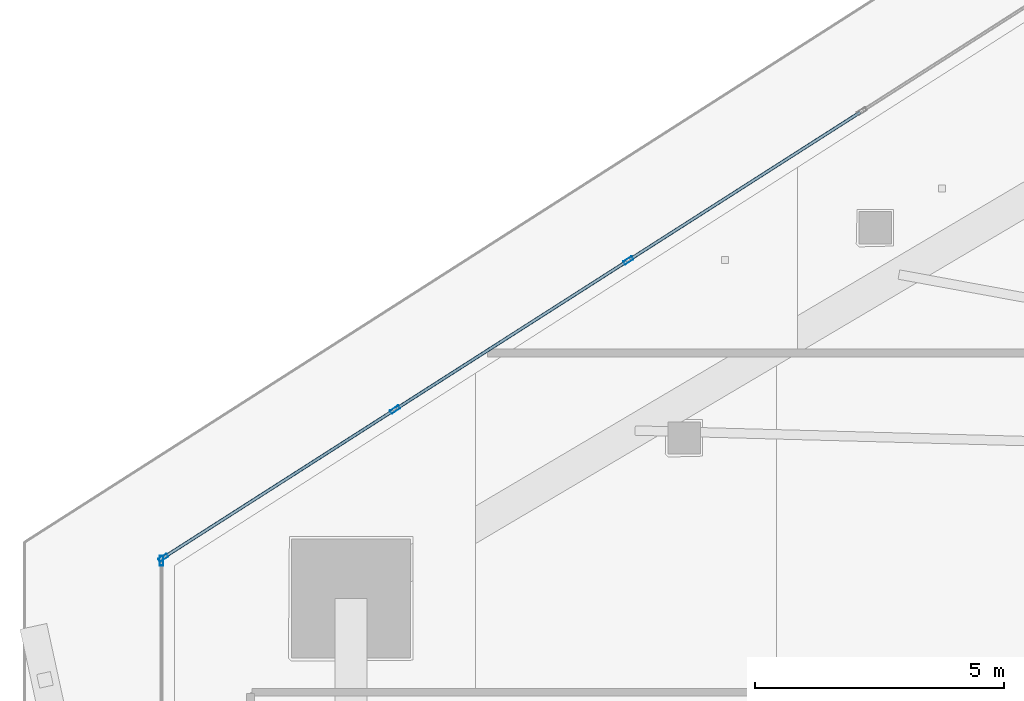
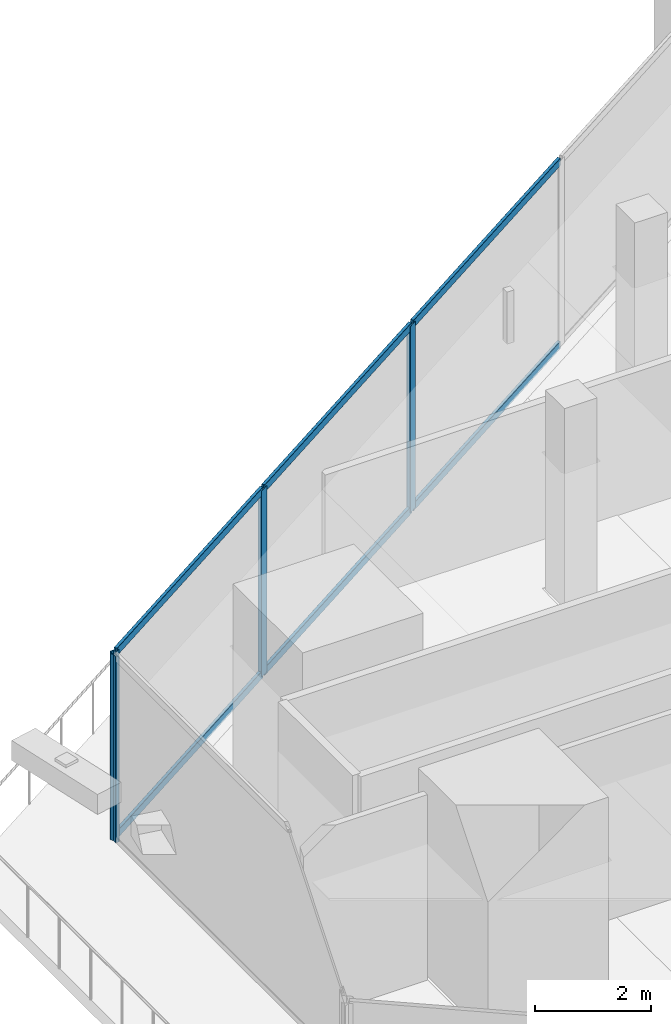
# One storey, part 14 of 47: 10 members, 2 elements without a shape of their own.
"""IFC4 building model written with IfcOpenShell, lengths in metres."""

from ifc_helpers import new_model, si_unit, direction, frame, origin, origin_2d, place, context, subcontext, project, spatial, hollow_rectangle, extrude, material, layer, layer_set, material_profile, profile_set, type_object, element, aggregate, save


model = new_model("IFC4")

# Units and contexts
model_context = context("Model", 3, precision=1e-05, world=origin(), true_north=direction((0.0, 1.0)))
body_context = subcontext(model_context, "Body", "Model", "MODEL_VIEW")
ifc_project = project(units=[si_unit("LENGTHUNIT", "METRE"), si_unit("AREAUNIT", "SQUARE_METRE"), si_unit("VOLUMEUNIT", "CUBIC_METRE"), si_unit("PLANEANGLEUNIT", "RADIAN"), si_unit("MASSUNIT", "GRAM", prefix="KILO")], contexts=[model_context])

# Site, building, storey
site_placement = place(None, origin())
site = spatial("IfcSite", under=ifc_project, at=site_placement, CompositionType="ELEMENT")
building_placement = place(site_placement, origin())
building = spatial("IfcBuilding", under=site, at=building_placement, Name="Qorvath Tower", CompositionType="ELEMENT")
storey_placement = place(building_placement, frame((0.0, 0.0, 82.800048828125)))
storey = spatial("IfcBuildingStorey", under=building, at=storey_placement, Name="L18", CompositionType="ELEMENT", Elevation=82.800048828125)

# Curtain wall, members
ifc_material_1 = material(Name="Anodised aluminium and triple low-E glass", Category="aluminium")
ifc_layer = layer(ifc_material_1, 0.179931640625)
ifc_layer_set = layer_set([ifc_layer], Name="CW-SYS-5")
curtain_wall_type = type_object("IfcCurtainWallType", Name="CW-SYS-5", PredefinedType="NOTDEFINED", material=ifc_layer_set)
curtain_wall_1_placement = place(storey_placement, origin())
curtain_wall_1 = element("IfcCurtainWall", 1, at=curtain_wall_1_placement, inside=storey, type_object=curtain_wall_type, Name="Curtain Wall CW-5 CW-T-L18-4.2", PredefinedType="NOTDEFINED")
ifc_material_2 = material(Name="Anodised aluminium 6063-T6", Category="aluminium")
ifc_material_profile_1 = material_profile(ifc_material_2, hollow_rectangle(XDim=0.074951171875, YDim=0.199951171875, WallThickness=0.00390625, InnerFilletRadius=0.00390625, OuterFilletRadius=0.008056640625, at=origin_2d()), Name="CWM 200x75")
ifc_profile_set_1 = profile_set([ifc_material_profile_1], Name="Anodised aluminium 6063-T6")
member_type_1 = type_object("IfcMemberType", Name="CWM-200", PredefinedType="MULLION", material=ifc_profile_set_1)
member_1_placement = place(storey_placement, frame((-49.705322265625, 9.994873046875, 0.0), z_axis=(0.0, 0.0, 1.0), x_axis=(0.538532660261, -0.842604636726, 0.0)))
member_1 = element("IfcMember", 2, at=member_1_placement, type_object=member_type_1, Name="CW-5 mullion 4", PredefinedType="MULLION", context=body_context, shape_type="SweptSolid", body=[
    extrude(hollow_rectangle(XDim=0.074951171875, YDim=0.199951171875, WallThickness=0.00390625, InnerFilletRadius=0.00390625, OuterFilletRadius=0.008056640625, at=origin_2d()), origin(), (0.0, 0.0, 1.0), 3.919921875),
])
member_2_placement = place(storey_placement, frame((-54.39990234375, 6.99462890625, 0.0), z_axis=(0.0, 0.0, 1.0), x_axis=(0.538532660261, -0.842604636726, 0.0)))
member_2 = element("IfcMember", 3, at=member_2_placement, type_object=member_type_1, Name="CW-5 mullion 5", PredefinedType="MULLION", context=body_context, shape_type="SweptSolid", body=[
    extrude(hollow_rectangle(XDim=0.074951171875, YDim=0.199951171875, WallThickness=0.00390625, InnerFilletRadius=0.00390625, OuterFilletRadius=0.008056640625, at=origin_2d()), origin(), (0.0, 0.0, 1.0), 3.919921875),
])
member_3_placement = place(storey_placement, frame((-59.06298828125, 4.014404296875, 0.0), z_axis=(0.0, 0.0, 1.0), x_axis=(0.538532660261, -0.842604636726, 0.0)))
member_3 = element("IfcMember", 4, at=member_3_placement, type_object=member_type_1, Name="CW-5 mullion 6", PredefinedType="MULLION", context=body_context, shape_type="SweptSolid", body=[
    extrude(hollow_rectangle(XDim=0.074951171875, YDim=0.199951171875, WallThickness=0.00390625, InnerFilletRadius=0.00390625, OuterFilletRadius=0.008056640625, at=origin_2d()), origin(), (0.0, 0.0, 1.0), 3.919921875),
])

# Curtain wall, member
curtain_wall_2_placement = place(storey_placement, origin())
curtain_wall_2 = element("IfcCurtainWall", 5, at=curtain_wall_2_placement, inside=storey, type_object=curtain_wall_type, Name="Curtain Wall CW-5 CW-T-L18-5.1", PredefinedType="NOTDEFINED")
member_4_placement = place(storey_placement, frame((-59.094482421875, 3.95654296875, 0.0), z_axis=(0.0, 0.0, 1.0), x_axis=(1.0, 0.0, 0.0)))
member_4 = element("IfcMember", 6, at=member_4_placement, type_object=member_type_1, Name="CW-5 mullion 1", PredefinedType="MULLION", context=body_context, shape_type="SweptSolid", body=[
    extrude(hollow_rectangle(XDim=0.074951171875, YDim=0.199951171875, WallThickness=0.00390625, InnerFilletRadius=0.00390625, OuterFilletRadius=0.008056640625, at=origin_2d()), origin(), (0.0, 0.0, 1.0), 3.919921875),
])
aggregate(curtain_wall_2, [member_4])

# Member
ifc_material_3 = material(Name="Anodised aluminium 6063-T6", Category="aluminium")
ifc_material_profile_2 = material_profile(ifc_material_3, hollow_rectangle(XDim=0.06494140625, YDim=0.159912109375, WallThickness=0.00341796875, InnerFilletRadius=0.00341796875, OuterFilletRadius=0.007080078125, at=origin_2d()), Name="CWT 160x65")
ifc_profile_set_2 = profile_set([ifc_material_profile_2], Name="Anodised aluminium 6063-T6")
member_type_2 = type_object("IfcMemberType", Name="CWT-160", PredefinedType="USERDEFINED", material=ifc_profile_set_2)
member_5_placement = place(storey_placement, frame((-45.042236328125, 12.975341796875, 0.032470703125), z_axis=(-0.842602768102, -0.538535583956, 0.0), x_axis=(0.538535583956, -0.842602768102, 0.0)))
member_5 = element("IfcMember", 7, at=member_5_placement, type_object=member_type_2, Name="CW-5 transom 3.1", ObjectType="TRANSOM", PredefinedType="USERDEFINED", context=body_context, shape_type="SweptSolid", body=[
    extrude(hollow_rectangle(XDim=0.06494140625, YDim=0.159912109375, WallThickness=0.00341796875, InnerFilletRadius=0.00341796875, OuterFilletRadius=0.007080078125, at=origin_2d()), origin(), (0.0, 0.0, 1.0), 5.496826171875),
])

member_6_placement = place(storey_placement, frame((-45.042236328125, 12.975341796875, 3.887451171875), z_axis=(-0.842602768102, -0.538535583956, 0.0), x_axis=(0.538535583956, -0.842602768102, 0.0)))
member_6 = element("IfcMember", 8, at=member_6_placement, type_object=member_type_2, Name="CW-5 transom 3.2", ObjectType="TRANSOM", PredefinedType="USERDEFINED", context=body_context, shape_type="SweptSolid", body=[
    extrude(hollow_rectangle(XDim=0.06494140625, YDim=0.159912109375, WallThickness=0.00341796875, InnerFilletRadius=0.00341796875, OuterFilletRadius=0.007080078125, at=origin_2d()), origin(), (0.0, 0.0, 1.0), 5.496826171875),
])

member_7_placement = place(storey_placement, frame((-49.73681640625, 9.974853515625, 0.032470703125), z_axis=(-0.842602768102, -0.538535583956, 0.0), x_axis=(0.538535583956, -0.842602768102, 0.0)))
member_7 = element("IfcMember", 9, at=member_7_placement, type_object=member_type_2, Name="CW-5 transom 4.1", ObjectType="TRANSOM", PredefinedType="USERDEFINED", context=body_context, shape_type="SweptSolid", body=[
    extrude(hollow_rectangle(XDim=0.06494140625, YDim=0.159912109375, WallThickness=0.00341796875, InnerFilletRadius=0.00341796875, OuterFilletRadius=0.007080078125, at=origin_2d()), origin(), (0.0, 0.0, 1.0), 5.496826171875),
])

member_8_placement = place(storey_placement, frame((-49.73681640625, 9.974853515625, 3.887451171875), z_axis=(-0.842602768102, -0.538535583956, 0.0), x_axis=(0.538535583956, -0.842602768102, 0.0)))
member_8 = element("IfcMember", 10, at=member_8_placement, type_object=member_type_2, Name="CW-5 transom 4.2", ObjectType="TRANSOM", PredefinedType="USERDEFINED", context=body_context, shape_type="SweptSolid", body=[
    extrude(hollow_rectangle(XDim=0.06494140625, YDim=0.159912109375, WallThickness=0.00341796875, InnerFilletRadius=0.00341796875, OuterFilletRadius=0.007080078125, at=origin_2d()), origin(), (0.0, 0.0, 1.0), 5.496826171875),
])

member_9_placement = place(storey_placement, frame((-54.431396484375, 6.974365234375, 0.032470703125), z_axis=(-0.842600995592, -0.538538357248, 0.0), x_axis=(0.538538357248, -0.842600995592, 0.0)))
member_9 = element("IfcMember", 11, at=member_9_placement, type_object=member_type_2, Name="CW-5 transom 5.1", ObjectType="TRANSOM", PredefinedType="USERDEFINED", context=body_context, shape_type="SweptSolid", body=[
    extrude(hollow_rectangle(XDim=0.06494140625, YDim=0.159912109375, WallThickness=0.00341796875, InnerFilletRadius=0.00341796875, OuterFilletRadius=0.007080078125, at=origin_2d()), origin(), (0.0, 0.0, 1.0), 5.459228515625),
])

member_10_placement = place(storey_placement, frame((-54.431396484375, 6.974365234375, 3.887451171875), z_axis=(-0.842600995592, -0.538538357248, 0.0), x_axis=(0.538538357248, -0.842600995592, 0.0)))
member_10 = element("IfcMember", 12, at=member_10_placement, type_object=member_type_2, Name="CW-5 transom 5.2", ObjectType="TRANSOM", PredefinedType="USERDEFINED", context=body_context, shape_type="SweptSolid", body=[
    extrude(hollow_rectangle(XDim=0.06494140625, YDim=0.159912109375, WallThickness=0.00341796875, InnerFilletRadius=0.00341796875, OuterFilletRadius=0.007080078125, at=origin_2d()), origin(), (0.0, 0.0, 1.0), 5.459228515625),
])

aggregate(curtain_wall_1, [member_1, member_2, member_3, member_5, member_6, member_7, member_8, member_9, member_10])

save(model, "model.ifc")
